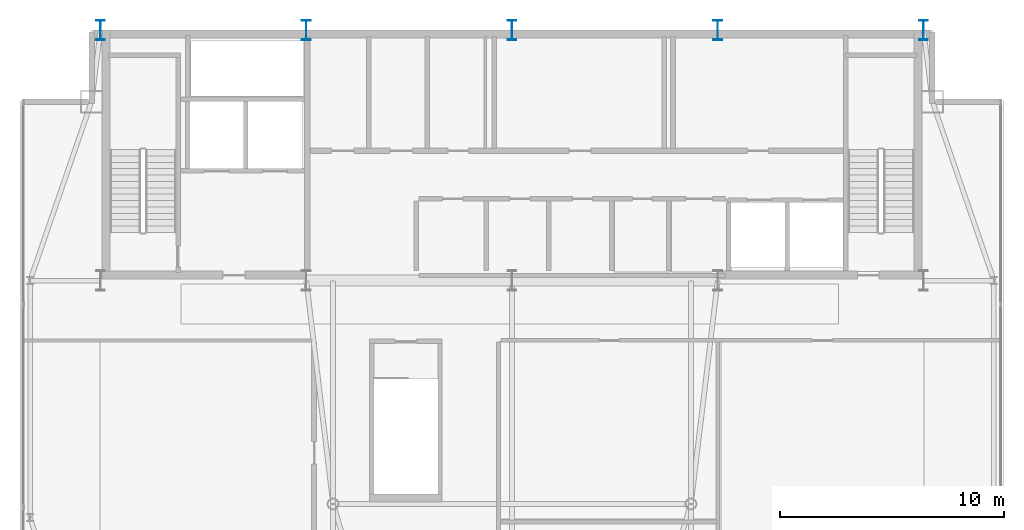
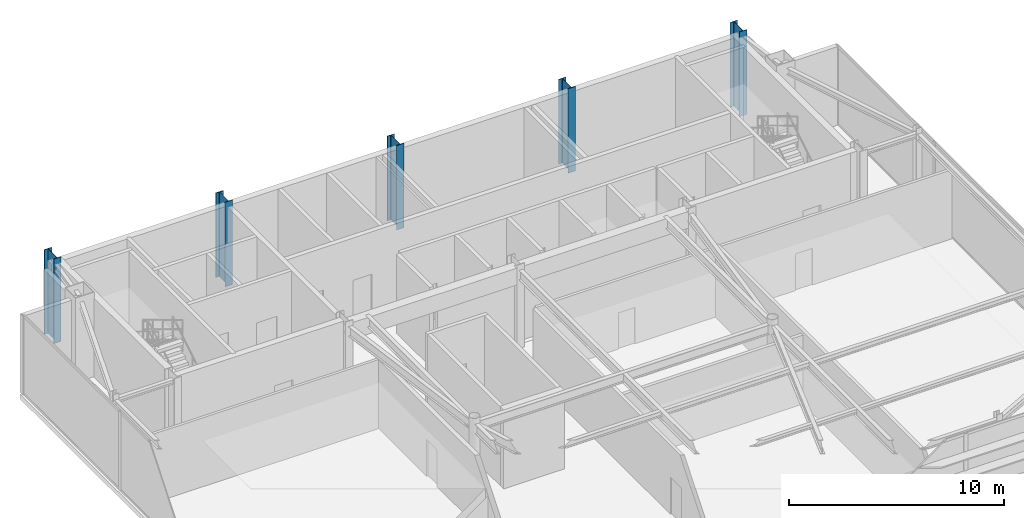
# One storey, part 3 of 20: 5 columns.
"""IFC4 building model written with IfcOpenShell, lengths in metres."""

from ifc_helpers import new_model, si_unit, direction, frame, origin, origin_2d, place, context, subcontext, project, spatial, i_section, extrude, source, transform, mapped, material, material_profile, profile_set, type_object, type_shapes, element, save


model = new_model("IFC4")

# Units and contexts
model_context = context("Model", 3, precision=1e-05, world=origin(), true_north=direction((0.0, 1.0)))
body_context = subcontext(model_context, "Body", "Model", "MODEL_VIEW")
ifc_project = project(units=[si_unit("LENGTHUNIT", "METRE"), si_unit("AREAUNIT", "SQUARE_METRE"), si_unit("VOLUMEUNIT", "CUBIC_METRE"), si_unit("PLANEANGLEUNIT", "RADIAN"), si_unit("MASSUNIT", "GRAM", prefix="KILO")], contexts=[model_context])

# Site, building, storey
site_placement = place(None, origin())
site = spatial("IfcSite", under=ifc_project, at=site_placement, CompositionType="ELEMENT")
building_placement = place(site_placement, origin())
building = spatial("IfcBuilding", under=site, at=building_placement, Name="Varnel Quay Broadcast Tower", CompositionType="ELEMENT")
storey_placement = place(building_placement, frame((0.0, 0.0, 309.800048828125)))
storey = spatial("IfcBuildingStorey", under=building, at=storey_placement, Name="L77", CompositionType="ELEMENT", Elevation=309.800048828125)

# Columns
ifc_material = material(Name="Structural Steel CSA G40.21 350WT", Category="steel")
ifc_material_profile = material_profile(ifc_material, i_section(OverallWidth=0.39990234375, OverallDepth=0.89990234375, WebThickness=0.01611328125, FlangeThickness=0.028076171875, FilletRadius=0.01611328125, at=origin_2d()), Name="WWF900X309")
ifc_profile_set = profile_set([ifc_material_profile], Name="Structural Steel CSA G40.21 350WT")
column_type = type_object("IfcColumnType", Name="Col_WWF900X309", PredefinedType="COLUMN", material=ifc_profile_set)
shared_shape = source(origin(), body_context, "Body", "SweptSolid", [
    extrude(i_section(OverallWidth=0.39990234375, OverallDepth=0.89990234375, WebThickness=0.01611328125, FlangeThickness=0.028076171875, FilletRadius=0.01611328125, at=origin_2d()), origin(), (0.0, 0.0, 1.0), 4.800048828125),
])
type_shapes(column_type, [shared_shape])
for number, where, z_axis, x_axis, name in (
    (1, (15.60009765625, 46.800048828125, 0.0), (0.0, 0.0, 1.0), (1.0, 0.0, 0.0), "L77 Column CC-N1"),
    (2, (24.800048828125, 46.800048828125, 0.0), (0.0, 0.0, 1.0), (1.0, 0.0, 0.0), "L77 Column CC-N2"),
    (3, (34.0, 46.800048828125, 0.0), (0.0, 0.0, 1.0), (1.0, 0.0, 0.0), "L77 Column CC-N3"),
    (4, (43.199951171875, 46.800048828125, 0.0), (0.0, 0.0, 1.0), (1.0, 0.0, 0.0), "L77 Column CC-N4"),
    (5, (52.39990234375, 46.800048828125, 0.0), (0.0, 0.0, 1.0), (1.0, 0.0, 0.0), "L77 Column CC-N5"),
):
    element("IfcColumn", number, at=place(storey_placement, frame(where, z_axis=z_axis, x_axis=x_axis)), inside=storey, type_object=column_type, Name=name, PredefinedType="COLUMN", context=body_context, shape_type="MappedRepresentation", body=[
        mapped(shared_shape, transform((0.0, 0.0, 0.0), x_axis=(1.0, 0.0, 0.0), y_axis=(0.0, 1.0, 0.0), z_axis=(0.0, 0.0, 1.0), scale=1.0)),
    ])

save(model, "model.ifc")
